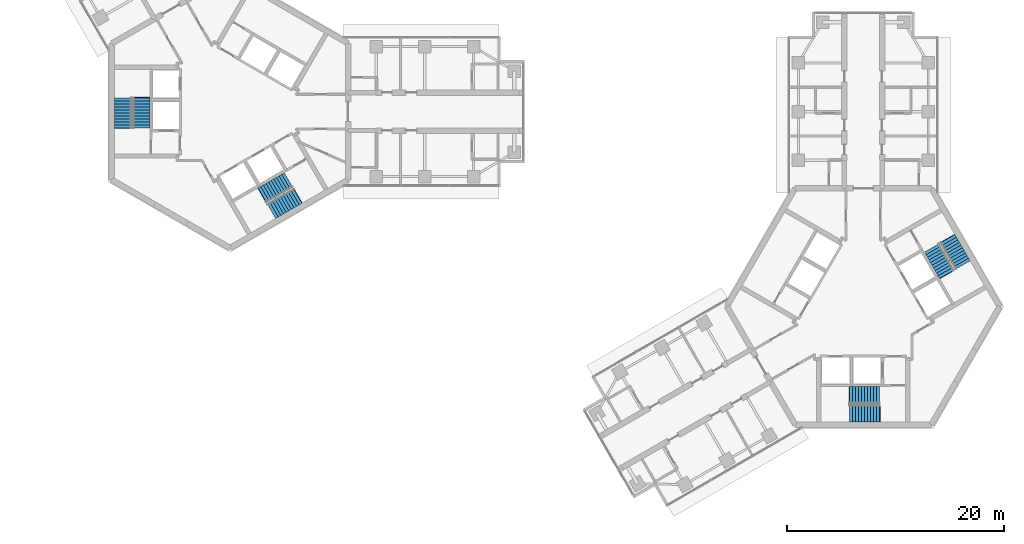
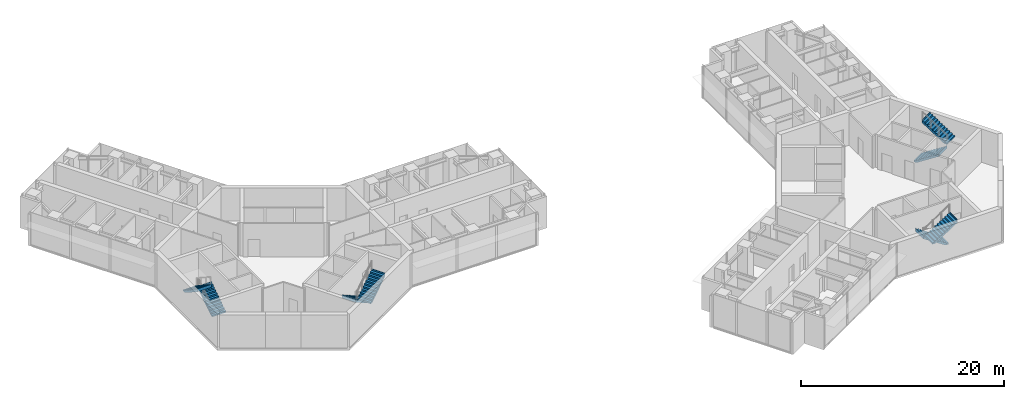
# One storey, part 16 of 17: 8 stair flights, 4 elements without a shape of their own.
"""IFC4 building model written with IfcOpenShell, lengths in metres."""

from ifc_helpers import new_model, si_unit, direction, frame, origin, place, context, subcontext, project, spatial, polyline, outline, extrude, material, type_object, element, aggregate, save


model = new_model("IFC4")

# Units and contexts
model_context = context("Model", 3, precision=1e-05, world=origin(), true_north=direction((0.0, 1.0)))
body_context = subcontext(model_context, "Body", "Model", "MODEL_VIEW")
ifc_project = project(units=[si_unit("LENGTHUNIT", "METRE"), si_unit("AREAUNIT", "SQUARE_METRE"), si_unit("VOLUMEUNIT", "CUBIC_METRE"), si_unit("PLANEANGLEUNIT", "RADIAN"), si_unit("MASSUNIT", "GRAM", prefix="KILO")], contexts=[model_context])

# Site, building, storey
site_placement = place(None, origin())
site = spatial("IfcSite", under=ifc_project, at=site_placement, CompositionType="ELEMENT")
building_placement = place(site_placement, origin())
building = spatial("IfcBuilding", under=site, at=building_placement, Name="Upepo Twin Towers", CompositionType="ELEMENT")
storey_placement = place(building_placement, frame((0.0, 0.0, 194.5)))
storey = spatial("IfcBuildingStorey", under=building, at=storey_placement, Name="L47", CompositionType="ELEMENT", Elevation=194.5)

# Stair, stair flights
ifc_material_1 = material(Name="Concrete C40/50", Category="concrete")
stair_type = type_object("IfcStairType", Name="Core stair, two flights", PredefinedType="HALF_TURN_STAIR", material=ifc_material_1)
stair_1_placement = place(storey_placement, origin())
stair_1 = element("IfcStair", 1, at=stair_1_placement, inside=storey, type_object=stair_type, Name="T1 stair S1 L47", PredefinedType="HALF_TURN_STAIR")
ifc_material_2 = material(Name="Concrete C40/50", Category="concrete")
stair_flight_type = type_object("IfcStairFlightType", Name="Stair flight 1550 RC", PredefinedType="STRAIGHT", material=ifc_material_2)
stair_flight_1_placement = place(storey_placement, frame((-8.175048828125, -1.52001953125, 0.0), z_axis=(0.0, 0.0, 1.0), x_axis=(0.0, 1.0, 0.0)))
stair_flight_1 = element("IfcStairFlight", 2, at=stair_flight_1_placement, type_object=stair_flight_type, Name="Stair S1 flight 1", NumberOfRisers=11, NumberOfTreads=10, PredefinedType="STRAIGHT", RiserHeight=0.181818182, TreadLength=0.28, context=body_context, shape_type="SweptSolid", body=[
    extrude(outline(polyline([(0.0, 0.0), (0.0, 0.181884765625), (0.280029296875, 0.181884765625), (0.280029296875, 0.363525390625), (0.56005859375, 0.363525390625), (0.56005859375, 0.54541015625), (0.840087890625, 0.54541015625), (0.840087890625, 0.727294921875), (1.1201171875, 0.727294921875), (1.1201171875, 0.9091796875), (1.39990234375, 0.9091796875), (1.39990234375, 1.0908203125), (1.679931640625, 1.0908203125), (1.679931640625, 1.272705078125), (1.9599609375, 1.272705078125), (1.9599609375, 1.45458984375), (2.239990234375, 1.45458984375), (2.239990234375, 1.636474609375), (2.52001953125, 1.636474609375), (2.52001953125, 1.818115234375), (2.800048828125, 1.818115234375), (2.800048828125, 2.0), (2.85009765625, 2.0), (2.85009765625, 1.639404296875), (0.3251953125, 0.0), (0.0, 0.0)])), frame((0.0, 0.77490234375, 0.0), z_axis=(0.0, -1.0, 0.0), x_axis=(1.0, 0.0, 0.0)), (0.0, 0.0, 1.0), 1.550048828125),
])
stair_flight_2_placement = place(storey_placement, frame((-9.88330078125, 1.280029296875, 2.0), z_axis=(0.0, 0.0, 1.0), x_axis=(0.0, -1.0, 0.0)))
stair_flight_2 = element("IfcStairFlight", 3, at=stair_flight_2_placement, type_object=stair_flight_type, Name="Stair S1 flight 2", NumberOfRisers=11, NumberOfTreads=10, PredefinedType="STRAIGHT", RiserHeight=0.181818182, TreadLength=0.28, context=body_context, shape_type="SweptSolid", body=[
    extrude(outline(polyline([(0.0, 0.0), (0.0, 0.181884765625), (0.280029296875, 0.181884765625), (0.280029296875, 0.363525390625), (0.56005859375, 0.363525390625), (0.56005859375, 0.54541015625), (0.840087890625, 0.54541015625), (0.840087890625, 0.727294921875), (1.1201171875, 0.727294921875), (1.1201171875, 0.9091796875), (1.39990234375, 0.9091796875), (1.39990234375, 1.0908203125), (1.679931640625, 1.0908203125), (1.679931640625, 1.272705078125), (1.9599609375, 1.272705078125), (1.9599609375, 1.45458984375), (2.239990234375, 1.45458984375), (2.239990234375, 1.636474609375), (2.52001953125, 1.636474609375), (2.52001953125, 1.818115234375), (2.800048828125, 1.818115234375), (2.800048828125, 2.0), (2.85009765625, 2.0), (2.85009765625, 1.639404296875), (0.3251953125, 0.0), (0.0, 0.0)])), frame((0.0, 0.77490234375, 0.0), z_axis=(0.0, -1.0, 0.0), x_axis=(1.0, 0.0, 0.0)), (0.0, 0.0, 1.0), 1.550048828125),
])
aggregate(stair_1, [stair_flight_1, stair_flight_2])

stair_2_placement = place(storey_placement, origin())
stair_2 = element("IfcStair", 4, at=stair_2_placement, inside=storey, type_object=stair_type, Name="T1 stair S2 L47", PredefinedType="HALF_TURN_STAIR")
stair_flight_3_placement = place(storey_placement, frame((5.40380859375, -6.31982421875, 0.0), z_axis=(0.0, 0.0, 1.0), x_axis=(-0.866025403784, -0.5, 0.0)))
stair_flight_3 = element("IfcStairFlight", 5, at=stair_flight_3_placement, type_object=stair_flight_type, Name="Stair S2 flight 1", NumberOfRisers=11, NumberOfTreads=10, PredefinedType="STRAIGHT", RiserHeight=0.181818182, TreadLength=0.28, context=body_context, shape_type="SweptSolid", body=[
    extrude(outline(polyline([(0.0, 0.0), (0.0, 0.181884765625), (0.280029296875, 0.181884765625), (0.280029296875, 0.363525390625), (0.56005859375, 0.363525390625), (0.56005859375, 0.54541015625), (0.840087890625, 0.54541015625), (0.840087890625, 0.727294921875), (1.1201171875, 0.727294921875), (1.1201171875, 0.9091796875), (1.39990234375, 0.9091796875), (1.39990234375, 1.0908203125), (1.679931640625, 1.0908203125), (1.679931640625, 1.272705078125), (1.9599609375, 1.272705078125), (1.9599609375, 1.45458984375), (2.239990234375, 1.45458984375), (2.239990234375, 1.636474609375), (2.52001953125, 1.636474609375), (2.52001953125, 1.818115234375), (2.800048828125, 1.818115234375), (2.800048828125, 2.0), (2.85009765625, 2.0), (2.85009765625, 1.639404296875), (0.3251953125, 0.0), (0.0, 0.0)])), frame((0.0, 0.77490234375, 0.0), z_axis=(0.0, -1.0, 0.0), x_axis=(1.0, 0.0, 0.0)), (0.0, 0.0, 1.0), 1.550048828125),
])
stair_flight_4_placement = place(storey_placement, frame((3.833251953125, -9.19921875, 2.0), z_axis=(0.0, 0.0, 1.0), x_axis=(0.866025403784, 0.5, 0.0)))
stair_flight_4 = element("IfcStairFlight", 6, at=stair_flight_4_placement, type_object=stair_flight_type, Name="Stair S2 flight 2", NumberOfRisers=11, NumberOfTreads=10, PredefinedType="STRAIGHT", RiserHeight=0.181818182, TreadLength=0.28, context=body_context, shape_type="SweptSolid", body=[
    extrude(outline(polyline([(0.0, 0.0), (0.0, 0.181884765625), (0.280029296875, 0.181884765625), (0.280029296875, 0.363525390625), (0.56005859375, 0.363525390625), (0.56005859375, 0.54541015625), (0.840087890625, 0.54541015625), (0.840087890625, 0.727294921875), (1.1201171875, 0.727294921875), (1.1201171875, 0.9091796875), (1.39990234375, 0.9091796875), (1.39990234375, 1.0908203125), (1.679931640625, 1.0908203125), (1.679931640625, 1.272705078125), (1.9599609375, 1.272705078125), (1.9599609375, 1.45458984375), (2.239990234375, 1.45458984375), (2.239990234375, 1.636474609375), (2.52001953125, 1.636474609375), (2.52001953125, 1.818115234375), (2.800048828125, 1.818115234375), (2.800048828125, 2.0), (2.85009765625, 2.0), (2.85009765625, 1.639404296875), (0.3251953125, 0.0), (0.0, 0.0)])), frame((0.0, 0.77490234375, 0.0), z_axis=(0.0, -1.0, 0.0), x_axis=(1.0, 0.0, 0.0)), (0.0, 0.0, 1.0), 1.550048828125),
])
aggregate(stair_2, [stair_flight_3, stair_flight_4])

stair_3_placement = place(storey_placement, origin())
stair_3 = element("IfcStair", 7, at=stair_3_placement, inside=storey, type_object=stair_type, Name="T2 stair S1 L47", PredefinedType="HALF_TURN_STAIR")
stair_flight_5_placement = place(storey_placement, frame((60.02001953125, -26.175048828125, 0.0), z_axis=(0.0, 0.0, 1.0), x_axis=(-1.0, 0.0, 0.0)))
stair_flight_5 = element("IfcStairFlight", 8, at=stair_flight_5_placement, type_object=stair_flight_type, Name="Stair S1 flight 1", NumberOfRisers=11, NumberOfTreads=10, PredefinedType="STRAIGHT", RiserHeight=0.181818182, TreadLength=0.28, context=body_context, shape_type="SweptSolid", body=[
    extrude(outline(polyline([(0.0, 0.0), (0.0, 0.181884765625), (0.280029296875, 0.181884765625), (0.280029296875, 0.363525390625), (0.56005859375, 0.363525390625), (0.56005859375, 0.54541015625), (0.840087890625, 0.54541015625), (0.840087890625, 0.727294921875), (1.1201171875, 0.727294921875), (1.1201171875, 0.9091796875), (1.39990234375, 0.9091796875), (1.39990234375, 1.0908203125), (1.679931640625, 1.0908203125), (1.679931640625, 1.272705078125), (1.9599609375, 1.272705078125), (1.9599609375, 1.45458984375), (2.239990234375, 1.45458984375), (2.239990234375, 1.636474609375), (2.52001953125, 1.636474609375), (2.52001953125, 1.818115234375), (2.800048828125, 1.818115234375), (2.800048828125, 2.0), (2.85009765625, 2.0), (2.85009765625, 1.639404296875), (0.3251953125, 0.0), (0.0, 0.0)])), frame((0.0, 0.77490234375, 0.0), z_axis=(0.0, -1.0, 0.0), x_axis=(1.0, 0.0, 0.0)), (0.0, 0.0, 1.0), 1.550048828125),
])
stair_flight_6_placement = place(storey_placement, frame((57.219970703125, -27.88330078125, 2.0), z_axis=(0.0, 0.0, 1.0), x_axis=(1.0, 0.0, 0.0)))
stair_flight_6 = element("IfcStairFlight", 9, at=stair_flight_6_placement, type_object=stair_flight_type, Name="Stair S1 flight 2", NumberOfRisers=11, NumberOfTreads=10, PredefinedType="STRAIGHT", RiserHeight=0.181818182, TreadLength=0.28, context=body_context, shape_type="SweptSolid", body=[
    extrude(outline(polyline([(0.0, 0.0), (0.0, 0.181884765625), (0.280029296875, 0.181884765625), (0.280029296875, 0.363525390625), (0.56005859375, 0.363525390625), (0.56005859375, 0.54541015625), (0.840087890625, 0.54541015625), (0.840087890625, 0.727294921875), (1.1201171875, 0.727294921875), (1.1201171875, 0.9091796875), (1.39990234375, 0.9091796875), (1.39990234375, 1.0908203125), (1.679931640625, 1.0908203125), (1.679931640625, 1.272705078125), (1.9599609375, 1.272705078125), (1.9599609375, 1.45458984375), (2.239990234375, 1.45458984375), (2.239990234375, 1.636474609375), (2.52001953125, 1.636474609375), (2.52001953125, 1.818115234375), (2.800048828125, 1.818115234375), (2.800048828125, 2.0), (2.85009765625, 2.0), (2.85009765625, 1.639404296875), (0.3251953125, 0.0), (0.0, 0.0)])), frame((0.0, 0.77490234375, 0.0), z_axis=(0.0, -1.0, 0.0), x_axis=(1.0, 0.0, 0.0)), (0.0, 0.0, 1.0), 1.550048828125),
])
aggregate(stair_3, [stair_flight_5, stair_flight_6])

stair_4_placement = place(storey_placement, origin())
stair_4 = element("IfcStair", 10, at=stair_4_placement, inside=storey, type_object=stair_type, Name="T2 stair S2 L47", PredefinedType="HALF_TURN_STAIR")
stair_flight_7_placement = place(storey_placement, frame((64.81982421875, -12.59619140625, 0.0), z_axis=(0.0, 0.0, 1.0), x_axis=(0.5, -0.866025403784, 0.0)))
stair_flight_7 = element("IfcStairFlight", 11, at=stair_flight_7_placement, type_object=stair_flight_type, Name="Stair S2 flight 1", NumberOfRisers=11, NumberOfTreads=10, PredefinedType="STRAIGHT", RiserHeight=0.181818182, TreadLength=0.28, context=body_context, shape_type="SweptSolid", body=[
    extrude(outline(polyline([(0.0, 0.0), (0.0, 0.181884765625), (0.280029296875, 0.181884765625), (0.280029296875, 0.363525390625), (0.56005859375, 0.363525390625), (0.56005859375, 0.54541015625), (0.840087890625, 0.54541015625), (0.840087890625, 0.727294921875), (1.1201171875, 0.727294921875), (1.1201171875, 0.9091796875), (1.39990234375, 0.9091796875), (1.39990234375, 1.0908203125), (1.679931640625, 1.0908203125), (1.679931640625, 1.272705078125), (1.9599609375, 1.272705078125), (1.9599609375, 1.45458984375), (2.239990234375, 1.45458984375), (2.239990234375, 1.636474609375), (2.52001953125, 1.636474609375), (2.52001953125, 1.818115234375), (2.800048828125, 1.818115234375), (2.800048828125, 2.0), (2.85009765625, 2.0), (2.85009765625, 1.639404296875), (0.3251953125, 0.0), (0.0, 0.0)])), frame((0.0, 0.77490234375, 0.0), z_axis=(0.0, -1.0, 0.0), x_axis=(1.0, 0.0, 0.0)), (0.0, 0.0, 1.0), 1.550048828125),
])
stair_flight_8_placement = place(storey_placement, frame((67.69921875, -14.166748046875, 2.0), z_axis=(0.0, 0.0, 1.0), x_axis=(-0.5, 0.866025403784, 0.0)))
stair_flight_8 = element("IfcStairFlight", 12, at=stair_flight_8_placement, type_object=stair_flight_type, Name="Stair S2 flight 2", NumberOfRisers=11, NumberOfTreads=10, PredefinedType="STRAIGHT", RiserHeight=0.181818182, TreadLength=0.28, context=body_context, shape_type="SweptSolid", body=[
    extrude(outline(polyline([(0.0, 0.0), (0.0, 0.181884765625), (0.280029296875, 0.181884765625), (0.280029296875, 0.363525390625), (0.56005859375, 0.363525390625), (0.56005859375, 0.54541015625), (0.840087890625, 0.54541015625), (0.840087890625, 0.727294921875), (1.1201171875, 0.727294921875), (1.1201171875, 0.9091796875), (1.39990234375, 0.9091796875), (1.39990234375, 1.0908203125), (1.679931640625, 1.0908203125), (1.679931640625, 1.272705078125), (1.9599609375, 1.272705078125), (1.9599609375, 1.45458984375), (2.239990234375, 1.45458984375), (2.239990234375, 1.636474609375), (2.52001953125, 1.636474609375), (2.52001953125, 1.818115234375), (2.800048828125, 1.818115234375), (2.800048828125, 2.0), (2.85009765625, 2.0), (2.85009765625, 1.639404296875), (0.3251953125, 0.0), (0.0, 0.0)])), frame((0.0, 0.77490234375, 0.0), z_axis=(0.0, -1.0, 0.0), x_axis=(1.0, 0.0, 0.0)), (0.0, 0.0, 1.0), 1.550048828125),
])
aggregate(stair_4, [stair_flight_7, stair_flight_8])

save(model, "model.ifc")
